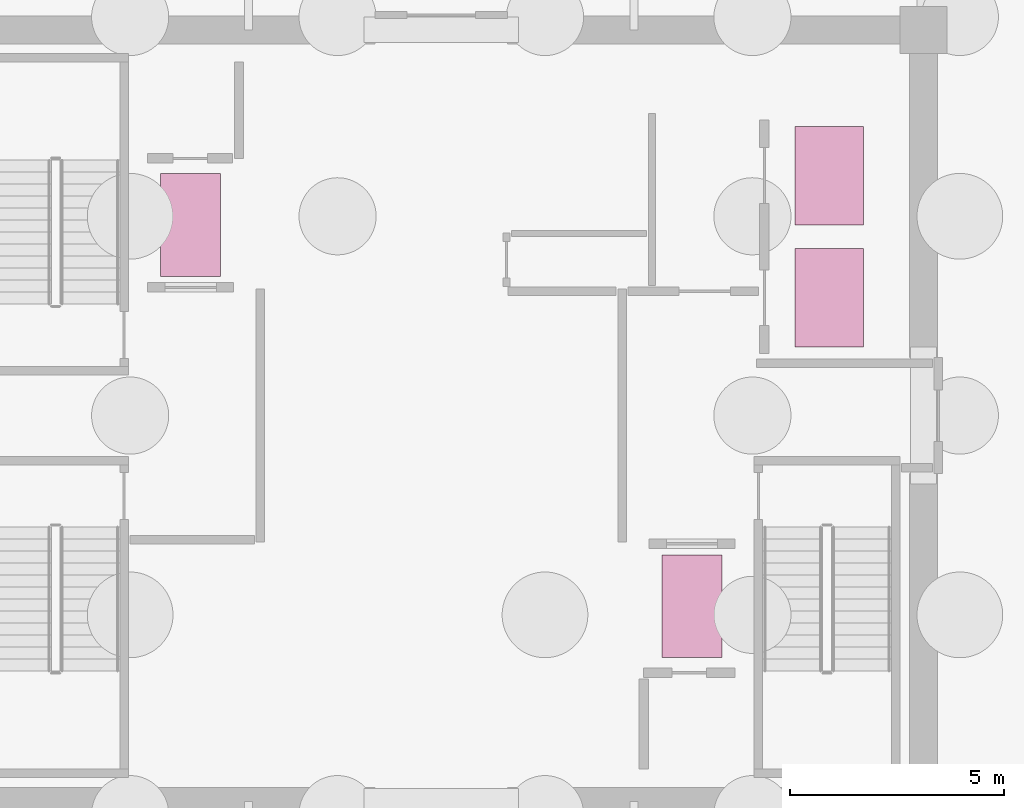
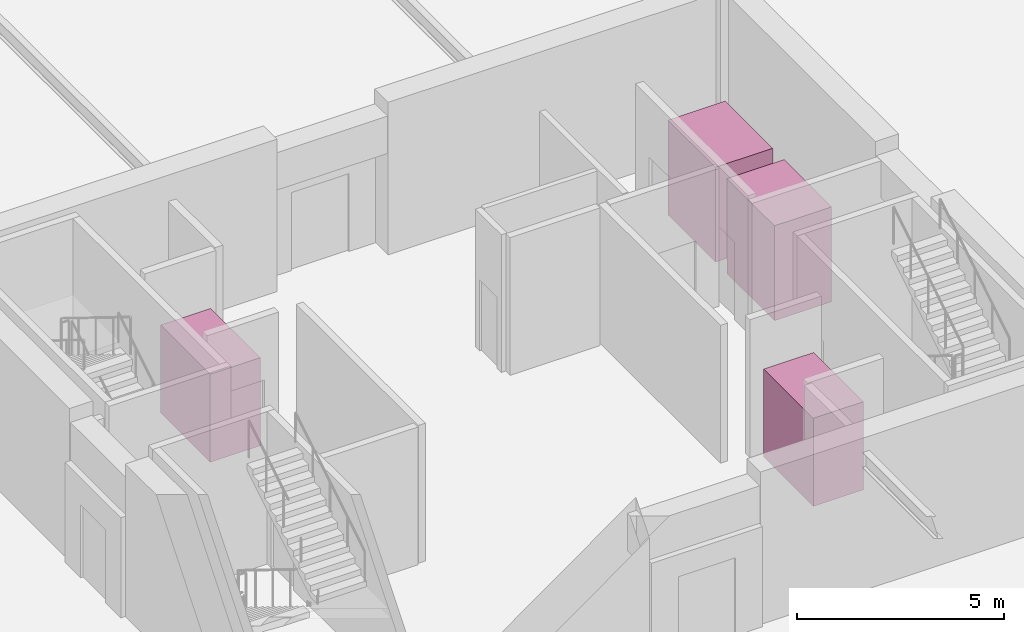
# One storey, part 11 of 11: 4 transport elements.
"""IFC4 building model written with IfcOpenShell, lengths in metres."""

from ifc_helpers import new_model, si_unit, direction, frame, origin, origin_2d, place, context, subcontext, project, spatial, rectangle, extrude, source, transform, mapped, material, type_object, element, save


model = new_model("IFC4")

# Units and contexts
model_context = context("Model", 3, precision=1e-05, world=origin(), true_north=direction((0.0, 1.0)))
body_context = subcontext(model_context, "Body", "Model", "MODEL_VIEW")
ifc_project = project(units=[si_unit("LENGTHUNIT", "METRE"), si_unit("AREAUNIT", "SQUARE_METRE"), si_unit("VOLUMEUNIT", "CUBIC_METRE"), si_unit("PLANEANGLEUNIT", "RADIAN"), si_unit("MASSUNIT", "GRAM", prefix="KILO")], contexts=[model_context])

# Site, building, storey
site_placement = place(None, origin())
site = spatial("IfcSite", under=ifc_project, at=site_placement, CompositionType="ELEMENT")
building_placement = place(site_placement, origin())
building = spatial("IfcBuilding", under=site, at=building_placement, Name="Nefas-Gora Pilgrimage Tower", CompositionType="ELEMENT")
storey_placement = place(building_placement, frame((0.0, 0.0, -9.0)))
storey = spatial("IfcBuildingStorey", under=building, at=storey_placement, Name="B02", CompositionType="ELEMENT", Elevation=-9.0)

# Transport elements
ifc_material = material(Name="Brushed stainless steel", Category="steel")
transport_element_type_1 = type_object("IfcTransportElementType", Name="LFT-FSAE-1400x2400", PredefinedType="ELEVATOR", material=ifc_material)
shared_shape_1 = source(origin(), body_context, "Body", "SweptSolid", [
    extrude(rectangle(XDim=1.39990234375, YDim=2.39990234375, at=origin_2d()), origin(), (0.0, 0.0, 1.0), 2.60009765625),
])
for number, where, z_axis, x_axis, name in (
    (1, (-5.85009765625, 4.449951171875, 0.0), (0.0, 0.0, 1.0), (1.0, 0.0, 0.0), "Firefighting Lift FFL-01"),
    (2, (5.85009765625, -4.449951171875, 0.0), (0.0, 0.0, 1.0), (1.0, 0.0, 0.0), "Firefighting Lift FFL-02"),
):
    element("IfcTransportElement", number, at=place(storey_placement, frame(where, z_axis=z_axis, x_axis=x_axis)), inside=storey, type_object=transport_element_type_1, Name=name, PredefinedType="ELEVATOR", context=body_context, shape_type="MappedRepresentation", body=[
        mapped(shared_shape_1, transform((0.0, 0.0, 0.0), x_axis=(1.0, 0.0, 0.0), y_axis=(0.0, 1.0, 0.0), z_axis=(0.0, 0.0, 1.0), scale=1.0)),
    ])
transport_element_type_2 = type_object("IfcTransportElementType", Name="LFT-SERV-1600x2300", PredefinedType="ELEVATOR", material=ifc_material)
shared_shape_2 = source(origin(), body_context, "Body", "SweptSolid", [
    extrude(rectangle(XDim=1.60009765625, YDim=2.300048828125, at=origin_2d()), origin(), (0.0, 0.0, 1.0), 2.800048828125),
])
for number, where, z_axis, x_axis, name in (
    (3, (9.050048828125, 2.75, 0.0), (0.0, 0.0, 1.0), (1.0, 0.0, 0.0), "Service Goods Lift SL-01"),
    (4, (9.050048828125, 5.60009765625, 0.0), (0.0, 0.0, 1.0), (1.0, 0.0, 0.0), "Service Goods Lift SL-02"),
):
    element("IfcTransportElement", number, at=place(storey_placement, frame(where, z_axis=z_axis, x_axis=x_axis)), inside=storey, type_object=transport_element_type_2, Name=name, PredefinedType="ELEVATOR", context=body_context, shape_type="MappedRepresentation", body=[
        mapped(shared_shape_2, transform((0.0, 0.0, 0.0), x_axis=(1.0, 0.0, 0.0), y_axis=(0.0, 1.0, 0.0), z_axis=(0.0, 0.0, 1.0), scale=1.0)),
    ])

save(model, "model.ifc")
